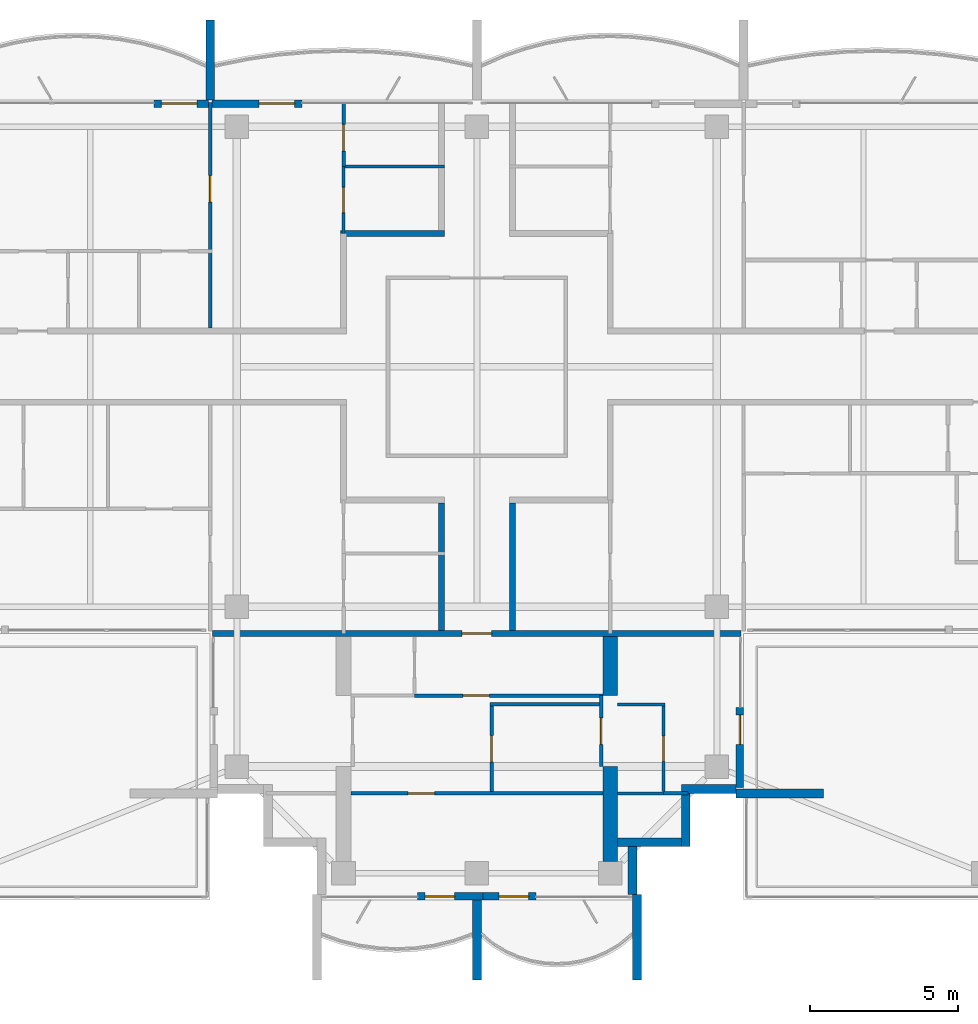
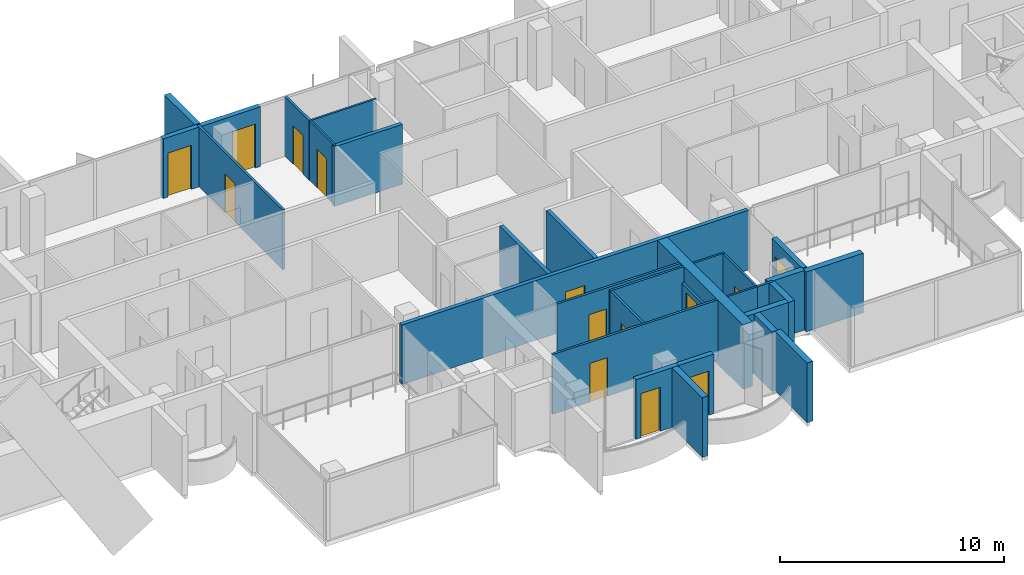
# One storey, part 9 of 16: 31 walls, 14 doors, 14 openings.
"""IFC4 building model written with IfcOpenShell, lengths in metres."""

import ifcopenshell
import ifcopenshell.guid

model = None  # the IFC model being written
_history = None  # IfcOwnerHistory: only IFC2X3 demands one
_inside = {}  # id of a spatial element -> (the spatial element, [elements in it])
_under = {}  # id of a project, library or spatial element -> (it, [spatial elements below it])
_declared = {}  # id of a project -> (the project, [libraries it declares])
_typed = {}  # id of a type object -> (the type object, [elements of that type])
_made_of = {}  # id of a material, layer set ... -> (it, [elements and type objects made of it])


def new_model(schema):
    """Start an empty IFC model of exactly this schema.

    Asked for "IFC4X3", IfcOpenShell would pick the latest addendum, in which some entities
    have other attributes; the version numbers below select the first issue.
    IFC2X3 requires an IfcOwnerHistory on every rooted entity: one is made here for all.
    """
    global model, _history
    if schema == "IFC4X3":
        model = ifcopenshell.file(schema_version=(4, 3, 0, 0))
    else:
        model = ifcopenshell.file(schema=schema)
    _inside.clear()
    _under.clear()
    _declared.clear()
    _typed.clear()
    _made_of.clear()
    _history = None
    if model.schema == "IFC2X3":
        org = make("IfcOrganization", Name="unknown")
        user = make(
            "IfcPersonAndOrganization",
            ThePerson=make("IfcPerson", FamilyName="unknown"),
            TheOrganization=org,
        )
        app = make(
            "IfcApplication",
            ApplicationDeveloper=org,
            Version="unknown",
            ApplicationFullName="unknown",
            ApplicationIdentifier="unknown",
        )
        _history = make(
            "IfcOwnerHistory",
            OwningUser=user,
            OwningApplication=app,
            ChangeAction="ADDED",
            CreationDate=0,
        )
    return model


def make(cls, **values):
    """One entity of the class cls with the attributes given. An attribute that is None is left unset."""
    return model.create_entity(
        cls, **{name: value for name, value in values.items() if value is not None}
    )


def rooted(cls, **values):
    """An entity with a GlobalId (a new one), such as an element, a storey or a relation."""
    return make(cls, GlobalId=ifcopenshell.guid.new(), OwnerHistory=_history, **values)


def si_unit(unit_type, name, prefix=None):
    """IfcSIUnit, for example si_unit("LENGTHUNIT", "METRE", prefix="MILLI")."""
    return make("IfcSIUnit", UnitType=unit_type, Prefix=prefix, Name=name)


def assignment(units):
    """IfcUnitAssignment: the units of a project."""
    return None if units is None else make("IfcUnitAssignment", Units=units)


def point(xyz):
    """IfcCartesianPoint."""
    return None if xyz is None else make("IfcCartesianPoint", Coordinates=xyz)


def direction(xyz):
    """IfcDirection."""
    return None if xyz is None else make("IfcDirection", DirectionRatios=xyz)


def frame(location, z_axis=None, x_axis=None):
    """IfcAxis2Placement3D, a coordinate frame: its origin and axes. An axis left out is left unset."""
    return make(
        "IfcAxis2Placement3D",
        Location=point(location),
        Axis=direction(z_axis),
        RefDirection=direction(x_axis),
    )


def frame_2d(location, x_axis=None):
    """IfcAxis2Placement2D, a coordinate frame in the plane: its origin and x axis."""
    return make(
        "IfcAxis2Placement2D", Location=point(location), RefDirection=direction(x_axis)
    )


def origin():
    """The frame at (0, 0, 0) with its axes left unset."""
    return frame((0.0, 0.0, 0.0))


def place(relative_to, where):
    """IfcLocalPlacement: puts the frame where relative to a parent placement (None: the world)."""
    return make(
        "IfcLocalPlacement", PlacementRelTo=relative_to, RelativePlacement=where
    )


def context(
    kind, dimensions, precision=None, world=None, true_north=None, identifier=None
):
    """IfcGeometricRepresentationContext, for example the 3D "Model" context."""
    return make(
        "IfcGeometricRepresentationContext",
        ContextIdentifier=identifier,
        ContextType=kind,
        CoordinateSpaceDimension=dimensions,
        Precision=precision,
        WorldCoordinateSystem=world,
        TrueNorth=true_north,
    )


def subcontext(parent, identifier, kind, view, scale=None):
    """IfcGeometricRepresentationSubContext, for example "Body" below "Model"."""
    return make(
        "IfcGeometricRepresentationSubContext",
        ContextIdentifier=identifier,
        ContextType=kind,
        ParentContext=parent,
        TargetScale=scale,
        TargetView=view,
    )


def project(units=None, contexts=None):
    """IfcProject with its units and contexts."""
    return rooted(
        "IfcProject",
        Name="project",
        RepresentationContexts=contexts,
        UnitsInContext=assignment(units),
    )


def spatial(cls, under=None, at=None, **own):
    """A site, building, storey or space (cls), placed at a placement, below another one or the project."""
    s = rooted(cls, ObjectPlacement=at, **own)
    if under is not None:
        _under.setdefault(under.id(), (under, []))[1].append(s)
    return s


def polyline(points):
    """IfcPolyline through the points."""
    return make("IfcPolyline", Points=[point(p) for p in points])


def profile(cls, at=None, kind="AREA", **sizes):
    """A parametric profile (cls). Its sizes go by their IFC names, for example OverallWidth=200.0."""
    return make(cls, ProfileType=kind, Position=at, **sizes)


def rectangle(**sizes):
    """IfcRectangleProfileDef."""
    return profile("IfcRectangleProfileDef", **sizes)


def outline(outer, holes=None, kind="AREA"):
    """IfcArbitraryClosedProfileDef: a profile drawn as a closed curve; with holes, ...WithVoids."""
    if holes is None:
        return make("IfcArbitraryClosedProfileDef", ProfileType=kind, OuterCurve=outer)
    return make(
        "IfcArbitraryProfileDefWithVoids",
        ProfileType=kind,
        OuterCurve=outer,
        InnerCurves=holes,
    )


def extrude(swept, where, along, depth):
    """IfcExtrudedAreaSolid: the profile swept, set in the frame where, extruded along a direction by depth."""
    return make(
        "IfcExtrudedAreaSolid",
        SweptArea=swept,
        Position=where,
        ExtrudedDirection=direction(along),
        Depth=depth,
    )


def shape(context_of_items, identifier, shape_type, items):
    """IfcShapeRepresentation: the items that make up one representation, for example the "Body"."""
    return make(
        "IfcShapeRepresentation",
        ContextOfItems=context_of_items,
        RepresentationIdentifier=identifier,
        RepresentationType=shape_type,
        Items=items,
    )


def material(Name=None, Category=None):
    """IfcMaterial."""
    return make("IfcMaterial", Name=Name, Category=Category)


def layer(
    of_material, thickness, ventilated=None, Name=None, Category=None, Priority=None
):
    """IfcMaterialLayer: one layer of a wall or slab, of a material (None: an air gap)."""
    return make(
        "IfcMaterialLayer",
        Material=of_material,
        LayerThickness=thickness,
        IsVentilated=ventilated,
        Name=Name,
        Category=Category,
        Priority=Priority,
    )


def layer_set(layers, Name=None):
    """IfcMaterialLayerSet."""
    return make("IfcMaterialLayerSet", MaterialLayers=layers, LayerSetName=Name)


def material_profile(
    of_material, cross_section, Name=None, Category=None, Priority=None
):
    """IfcMaterialProfile: a cross section and its material."""
    return make(
        "IfcMaterialProfile",
        Name=Name,
        Material=of_material,
        Profile=cross_section,
        Priority=Priority,
        Category=Category,
    )


def profile_set(profiles, Name=None, composite=None):
    """IfcMaterialProfileSet."""
    return make(
        "IfcMaterialProfileSet",
        Name=Name,
        MaterialProfiles=profiles,
        CompositeProfile=composite,
    )


def made_of(thing, what):
    """Note that an element or type object is made of a material, layer set ...; save() writes the relation."""
    if what is not None:
        _made_of.setdefault(what.id(), (what, []))[1].append(thing)
    return thing


def type_object(cls, material=None, **own):
    """A type object (cls), such as IfcWallType, which elements share."""
    return made_of(rooted(cls, **own), material)


def element(
    cls,
    number,
    at=None,
    inside=None,
    cuts=None,
    type_object=None,
    material=None,
    context=None,
    identifier="Body",
    shape_type=None,
    held_by="IfcProductDefinitionShape",
    body=None,
    shapes=None,
    **own,
):
    """One element of the class cls, such as IfcWall. Its Tag is "e" and its number.

    at: its placement. inside: the storey or other place that contains it. cuts: it is an
    opening in that element (IfcRelVoidsElement). A single representation is given by context,
    identifier, shape_type and body (its items); several are given by shapes. held_by: the class
    of the entity that holds the representations. save() writes the other relations.
    """
    e = rooted(cls, Tag="e%d" % number, ObjectPlacement=at, **own)
    if body is not None:
        shapes = [shape(context, identifier, shape_type, body)]
    if shapes is not None:
        e.Representation = make(held_by, Representations=shapes)
    if inside is not None:
        _inside.setdefault(inside.id(), (inside, []))[1].append(e)
    if cuts is not None:
        rooted(
            "IfcRelVoidsElement", RelatingBuildingElement=cuts, RelatedOpeningElement=e
        )
    if type_object is not None:
        _typed.setdefault(type_object.id(), (type_object, []))[1].append(e)
    return made_of(e, material)


def fill(opening, filler):
    """IfcRelFillsElement: the door or window that sits in an opening."""
    return rooted(
        "IfcRelFillsElement",
        RelatingOpeningElement=opening,
        RelatedBuildingElement=filler,
    )


def aggregate(whole, parts):
    """IfcRelAggregates: a whole, such as a stair, and the parts it consists of."""
    return rooted("IfcRelAggregates", RelatingObject=whole, RelatedObjects=parts)


def save(model, path):
    """Write the relations noted so far, then the file.

    IfcRelAggregates (storeys below a building ...), IfcRelContainedInSpatialStructure (elements
    in a storey), IfcRelDefinesByType, IfcRelAssociatesMaterial and IfcRelDeclares: one each for
    every whole, place, type object, material and project.
    """
    for whole, parts in _under.values():
        aggregate(whole, parts)
    for where, things in _inside.values():
        rooted(
            "IfcRelContainedInSpatialStructure",
            RelatedElements=things,
            RelatingStructure=where,
        )
    for kind, things in _typed.values():
        rooted("IfcRelDefinesByType", RelatedObjects=things, RelatingType=kind)
    for what, things in _made_of.values():
        rooted("IfcRelAssociatesMaterial", RelatedObjects=things, RelatingMaterial=what)
    for by, libraries in _declared.values():
        rooted("IfcRelDeclares", RelatingContext=by, RelatedDefinitions=libraries)
    model.write(path)


model = new_model("IFC4")

# Units and contexts
model_context = context("Model", 3, precision=1e-05, world=origin(), true_north=direction((0.0, 1.0)))
body_context = subcontext(model_context, "Body", "Model", "MODEL_VIEW")
ifc_project = project(units=[si_unit("LENGTHUNIT", "METRE"), si_unit("AREAUNIT", "SQUARE_METRE"), si_unit("VOLUMEUNIT", "CUBIC_METRE"), si_unit("PLANEANGLEUNIT", "RADIAN"), si_unit("MASSUNIT", "GRAM", prefix="KILO")], contexts=[model_context])

# Site, building, storey
site_placement = place(None, origin())
site = spatial("IfcSite", under=ifc_project, at=site_placement, CompositionType="ELEMENT")
building_placement = place(site_placement, origin())
building = spatial("IfcBuilding", under=site, at=building_placement, Name="Perihelion Cross Residences", CompositionType="ELEMENT")
storey_placement = place(building_placement, frame((0.0, 0.0, 260.5)))
storey = spatial("IfcBuildingStorey", under=building, at=storey_placement, Name="L66", CompositionType="ELEMENT", Elevation=260.5)

# Walls
ifc_material_1 = material(Name="Plasterboard partition")
ifc_layer_1 = layer(ifc_material_1, 0.199951171875)
ifc_layer_set_1 = layer_set([ifc_layer_1], Name="Apartment separation wall 200")
wall_type_1 = type_object("IfcWallType", Name="Apartment separation wall 200", PredefinedType="PARTITIONING", material=ifc_layer_set_1)
wall_1_placement = place(storey_placement, frame((1.199951171875, -4.60009765625, 0.0), z_axis=(0.0, 0.0, 1.0), x_axis=(0.0, -1.0, 0.0)))
element("IfcWall", 1, at=wall_1_placement, inside=storey, type_object=wall_type_1, Name="Partition L66 W012", PredefinedType="PARTITIONING", context=body_context, shape_type="SweptSolid", body=[
    extrude(rectangle(XDim=4.2998046875, YDim=0.199951171875, at=frame_2d((2.14990234375, 0.0))), origin(), (0.0, 0.0, 1.0), 3.25),
])
wall_2_placement = place(storey_placement, frame((-4.60009765625, 4.5, 0.0), z_axis=(0.0, 0.0, 1.0), x_axis=(1.0, 0.0, 0.0)))
element("IfcWall", 2, at=wall_2_placement, inside=storey, type_object=wall_type_1, Name="Partition L66 W015", PredefinedType="PARTITIONING", context=body_context, shape_type="SweptSolid", body=[
    extrude(rectangle(XDim=3.5, YDim=0.199951171875, at=frame_2d((1.75, 0.0))), origin(), (0.0, 0.0, 1.0), 3.25),
])
wall_3_placement = place(storey_placement, frame((-1.199951171875, -8.89990234375, 0.0), z_axis=(0.0, 0.0, 1.0), x_axis=(0.0, 1.0, 0.0)))
element("IfcWall", 3, at=wall_3_placement, inside=storey, type_object=wall_type_1, Name="Partition L66 W019", PredefinedType="PARTITIONING", context=body_context, shape_type="SweptSolid", body=[
    extrude(rectangle(XDim=4.2998046875, YDim=0.199951171875, at=frame_2d((2.14990234375, 0.0))), origin(), (0.0, 0.0, 1.0), 3.25),
])

# Wall, opening, door
wall_4_placement = place(storey_placement, frame((8.919921875, -9.0, 0.0), z_axis=(0.0, 0.0, 1.0), x_axis=(-1.0, 0.0, 0.0)))
wall_4 = element("IfcWall", 4, at=wall_4_placement, inside=storey, type_object=wall_type_1, Name="Partition L66 W021", PredefinedType="PARTITIONING", context=body_context, shape_type="SweptSolid", body=[
    extrude(rectangle(XDim=17.83984375, YDim=0.199951171875, at=frame_2d((8.919921875, 0.0))), origin(), (0.0, 0.0, 1.0), 3.25),
])
opening_1_placement = place(wall_4_placement, frame((8.419921875, 0.0, 0.0)))
opening_1 = element("IfcOpeningElement", 5, at=opening_1_placement, cuts=wall_4, Name="Opening L66.A34", PredefinedType="OPENING", context=body_context, shape_type="SweptSolid", body=[
    extrude(rectangle(XDim=1.0, YDim=2.10009765625, at=frame_2d((0.5, 1.050048828125))), frame((0.0, 0.10986328125, 0.0), z_axis=(0.0, -1.0, 0.0), x_axis=(1.0, 0.0, 0.0)), (0.0, 0.0, 1.0), 0.219970703125),
])
ifc_material_2 = material(Name="Timber door leaf", Category="wood")
door_type_1 = type_object("IfcDoorType", Name="Flat entrance door 1000 x 2100", OperationType="SINGLE_SWING_LEFT", PredefinedType="DOOR", material=ifc_material_2)
door_1_placement = place(opening_1_placement, origin())
door_1 = element("IfcDoor", 6, at=door_1_placement, inside=storey, type_object=door_type_1, Name="Door L66.A34", OperationType="SINGLE_SWING_RIGHT", OverallHeight=2.10009765625, OverallWidth=1.0, PredefinedType="DOOR", context=body_context, shape_type="SweptSolid", body=[
    extrude(rectangle(XDim=1.0, YDim=2.10009765625, at=frame_2d((0.5, 1.050048828125))), frame((0.0, 0.02490234375, 0.0), z_axis=(0.0, -1.0, 0.0), x_axis=(1.0, 0.0, 0.0)), (0.0, 0.0, 1.0), 0.050048828125),
])
fill(opening_1, door_1)

ifc_material_3 = material(Name="Concrete C30/37, bronze-clad", Category="concrete")
ifc_layer_2 = layer(ifc_material_3, 0.25)
ifc_layer_set_2 = layer_set([ifc_layer_2], Name="Bronze-clad pier wall 250")
wall_type_2 = type_object("IfcWallType", Name="Bronze-clad pier wall 250", PredefinedType="SOLIDWALL", material=ifc_layer_set_2)
wall_5_placement = place(storey_placement, frame((-5.89990234375, 8.875, 0.0), z_axis=(0.0, 0.0, 1.0), x_axis=(-1.0, 0.0, 0.0)))
wall_5 = element("IfcWall", 7, at=wall_5_placement, inside=storey, type_object=wall_type_2, Name="Wall FW1 L66 north side east bay 2 pier", PredefinedType="SOLIDWALL", context=body_context, shape_type="SweptSolid", body=[
    extrude(rectangle(XDim=3.0400390625, YDim=0.25, at=frame_2d((1.52001953125, 0.0))), origin(), (0.0, 0.0, 1.0), 3.25),
])
opening_2_placement = place(wall_5_placement, frame((0.25, 0.0, 0.0)))
opening_2 = element("IfcOpeningElement", 8, at=opening_2_placement, cuts=wall_5, Name="Opening L66.E04", PredefinedType="OPENING", context=body_context, shape_type="SweptSolid", body=[
    extrude(rectangle(XDim=1.199951171875, YDim=2.39990234375, at=frame_2d((0.60009765625, 1.199951171875))), frame((0.0, 0.135009765625, 0.0), z_axis=(0.0, -1.0, 0.0), x_axis=(1.0, 0.0, 0.0)), (0.0, 0.0, 1.0), 0.27001953125),
])
ifc_material_4 = material(Name="Bronze anodised aluminium, glazed", Category="aluminium")
door_type_2 = type_object("IfcDoorType", Name="Balcony door 1200 x 2400", OperationType="NOTDEFINED", PredefinedType="DOOR", material=ifc_material_4)
door_2_placement = place(opening_2_placement, origin())
door_2 = element("IfcDoor", 9, at=door_2_placement, inside=storey, type_object=door_type_2, Name="Door L66.E04 north side east bay 2", OperationType="SINGLE_SWING_RIGHT", OverallHeight=2.39990234375, OverallWidth=1.199951171875, PredefinedType="DOOR", context=body_context, shape_type="SweptSolid", body=[
    extrude(rectangle(XDim=1.199951171875, YDim=2.39990234375, at=frame_2d((0.60009765625, 1.199951171875))), frame((0.0, 0.02490234375, 0.0), z_axis=(0.0, -1.0, 0.0), x_axis=(1.0, 0.0, 0.0)), (0.0, 0.0, 1.0), 0.050048828125),
])
fill(opening_2, door_2)

wall_6_placement = place(storey_placement, frame((-9.06005859375, 8.875, 0.0), z_axis=(0.0, 0.0, 1.0), x_axis=(-1.0, 0.0, 0.0)))
wall_6 = element("IfcWall", 10, at=wall_6_placement, inside=storey, type_object=wall_type_2, Name="Wall FW1 L66 west side north bay 1 pier", PredefinedType="SOLIDWALL", context=body_context, shape_type="SweptSolid", body=[
    extrude(rectangle(XDim=1.83984375, YDim=0.25, at=frame_2d((0.919921875, 0.0))), origin(), (0.0, 0.0, 1.0), 3.25),
])
opening_3_placement = place(wall_6_placement, frame((0.389892578125, 0.0, 0.0)))
opening_3 = element("IfcOpeningElement", 11, at=opening_3_placement, cuts=wall_6, Name="Opening L66.E05", PredefinedType="OPENING", context=body_context, shape_type="SweptSolid", body=[
    extrude(rectangle(XDim=1.199951171875, YDim=2.39990234375, at=frame_2d((0.60009765625, 1.199951171875))), frame((0.0, 0.135009765625, 0.0), z_axis=(0.0, -1.0, 0.0), x_axis=(1.0, 0.0, 0.0)), (0.0, 0.0, 1.0), 0.27001953125),
])
door_3_placement = place(opening_3_placement, origin())
door_3 = element("IfcDoor", 12, at=door_3_placement, inside=storey, type_object=door_type_2, Name="Door L66.E05 west side north bay 1", OperationType="SINGLE_SWING_LEFT", OverallHeight=2.39990234375, OverallWidth=1.199951171875, PredefinedType="DOOR", context=body_context, shape_type="SweptSolid", body=[
    extrude(rectangle(XDim=1.199951171875, YDim=2.39990234375, at=frame_2d((0.60009765625, 1.199951171875))), frame((0.0, 0.02490234375, 0.0), z_axis=(0.0, -1.0, 0.0), x_axis=(1.0, 0.0, 0.0)), (0.0, 0.0, 1.0), 0.050048828125),
])
fill(opening_3, door_3)

wall_7_placement = place(storey_placement, frame((-2.0, -17.875, 0.0), z_axis=(0.0, 0.0, 1.0), x_axis=(1.0, 0.0, 0.0)))
wall_7 = element("IfcWall", 13, at=wall_7_placement, inside=storey, type_object=wall_type_2, Name="Wall FW1 L66 south tip south bay 1 pier", PredefinedType="SOLIDWALL", context=body_context, shape_type="SweptSolid", body=[
    extrude(rectangle(XDim=2.199951171875, YDim=0.25, at=frame_2d((1.10009765625, 0.0))), origin(), (0.0, 0.0, 1.0), 3.25),
])
opening_4_placement = place(wall_7_placement, frame((0.25, 0.0, 0.0)))
opening_4 = element("IfcOpeningElement", 14, at=opening_4_placement, cuts=wall_7, Name="Opening L66.E10", PredefinedType="OPENING", context=body_context, shape_type="SweptSolid", body=[
    extrude(rectangle(XDim=1.0, YDim=2.39990234375, at=frame_2d((0.5, 1.199951171875))), frame((0.0, 0.135009765625, 0.0), z_axis=(0.0, -1.0, 0.0), x_axis=(1.0, 0.0, 0.0)), (0.0, 0.0, 1.0), 0.27001953125),
])
ifc_material_5 = material(Name="Bronze anodised aluminium, glazed", Category="aluminium")
door_type_3 = type_object("IfcDoorType", Name="Balcony door 1000 x 2400", OperationType="NOTDEFINED", PredefinedType="DOOR", material=ifc_material_5)
door_4_placement = place(opening_4_placement, origin())
door_4 = element("IfcDoor", 15, at=door_4_placement, inside=storey, type_object=door_type_3, Name="Door L66.E10 south tip south bay 1", OperationType="SINGLE_SWING_RIGHT", OverallHeight=2.39990234375, OverallWidth=1.0, PredefinedType="DOOR", context=body_context, shape_type="SweptSolid", body=[
    extrude(rectangle(XDim=1.0, YDim=2.39990234375, at=frame_2d((0.5, 1.199951171875))), frame((0.0, 0.02490234375, 0.0), z_axis=(0.0, -1.0, 0.0), x_axis=(1.0, 0.0, 0.0)), (0.0, 0.0, 1.0), 0.050048828125),
])
fill(opening_4, door_4)

wall_8_placement = place(storey_placement, frame((0.199951171875, -17.875, 0.0), z_axis=(0.0, 0.0, 1.0), x_axis=(1.0, 0.0, 0.0)))
wall_8 = element("IfcWall", 16, at=wall_8_placement, inside=storey, type_object=wall_type_2, Name="Wall FW1 L66 south tip south bay 2 pier", PredefinedType="SOLIDWALL", context=body_context, shape_type="SweptSolid", body=[
    extrude(rectangle(XDim=1.800048828125, YDim=0.25, at=frame_2d((0.89990234375, 0.0))), origin(), (0.0, 0.0, 1.0), 3.25),
])
opening_5_placement = place(wall_8_placement, frame((0.550048828125, 0.0, 0.0)))
opening_5 = element("IfcOpeningElement", 17, at=opening_5_placement, cuts=wall_8, Name="Opening L66.E11", PredefinedType="OPENING", context=body_context, shape_type="SweptSolid", body=[
    extrude(rectangle(XDim=1.0, YDim=2.39990234375, at=frame_2d((0.5, 1.199951171875))), frame((0.0, 0.135009765625, 0.0), z_axis=(0.0, -1.0, 0.0), x_axis=(1.0, 0.0, 0.0)), (0.0, 0.0, 1.0), 0.27001953125),
])
door_5_placement = place(opening_5_placement, origin())
door_5 = element("IfcDoor", 18, at=door_5_placement, inside=storey, type_object=door_type_3, Name="Door L66.E11 south tip south bay 2", OperationType="SINGLE_SWING_LEFT", OverallHeight=2.39990234375, OverallWidth=1.0, PredefinedType="DOOR", context=body_context, shape_type="SweptSolid", body=[
    extrude(rectangle(XDim=1.0, YDim=2.39990234375, at=frame_2d((0.5, 1.199951171875))), frame((0.0, 0.02490234375, 0.0), z_axis=(0.0, -1.0, 0.0), x_axis=(1.0, 0.0, 0.0)), (0.0, 0.0, 1.0), 0.050048828125),
])
fill(opening_5, door_5)

wall_9_placement = place(storey_placement, frame((8.875, -14.199951171875, 0.0), z_axis=(0.0, 0.0, 1.0), x_axis=(0.0, 1.0, 0.0)))
wall_9 = element("IfcWall", 19, at=wall_9_placement, inside=storey, type_object=wall_type_2, Name="Wall FW1 L66 south side east bay 1 pier", PredefinedType="SOLIDWALL", context=body_context, shape_type="SweptSolid", body=[
    extrude(rectangle(XDim=2.699951171875, YDim=0.25, at=frame_2d((1.35009765625, 0.0))), origin(), (0.0, 0.0, 1.0), 3.25),
])
opening_6_placement = place(wall_9_placement, frame((1.449951171875, 0.0, 0.0)))
opening_6 = element("IfcOpeningElement", 20, at=opening_6_placement, cuts=wall_9, Name="Opening L66.E12", PredefinedType="OPENING", context=body_context, shape_type="SweptSolid", body=[
    extrude(rectangle(XDim=1.0, YDim=2.39990234375, at=frame_2d((0.5, 1.199951171875))), frame((0.0, 0.135009765625, 0.0), z_axis=(0.0, -1.0, 0.0), x_axis=(1.0, 0.0, 0.0)), (0.0, 0.0, 1.0), 0.27001953125),
])
door_6_placement = place(opening_6_placement, origin())
door_6 = element("IfcDoor", 21, at=door_6_placement, inside=storey, type_object=door_type_3, Name="Door L66.E12 south side east bay 1", OperationType="SINGLE_SWING_RIGHT", OverallHeight=2.39990234375, OverallWidth=1.0, PredefinedType="DOOR", context=body_context, shape_type="SweptSolid", body=[
    extrude(rectangle(XDim=1.0, YDim=2.39990234375, at=frame_2d((0.5, 1.199951171875))), frame((0.0, 0.02490234375, 0.0), z_axis=(0.0, -1.0, 0.0), x_axis=(1.0, 0.0, 0.0)), (0.0, 0.0, 1.0), 0.050048828125),
])
fill(opening_6, door_6)

# Walls
ifc_material_6 = material(Name="Concrete C30/37, bronze-clad", Category="concrete")
ifc_layer_3 = layer(ifc_material_6, 0.300048828125)
ifc_layer_set_3 = layer_set([ifc_layer_3], Name="Bronze-clad serration wall 300")
wall_type_3 = type_object("IfcWallType", Name="Bronze-clad serration wall 300", PredefinedType="SOLIDWALL", material=ifc_layer_set_3)
wall_10_placement = place(storey_placement, frame((5.25, -17.820068359375, 0.0), z_axis=(0.0, 0.0, 1.0), x_axis=(0.0, 1.0, 0.0)))
element("IfcWall", 22, at=wall_10_placement, inside=storey, type_object=wall_type_3, Name="Wall SR1 L66 south corner south-east 1", PredefinedType="SOLIDWALL", context=body_context, shape_type="SweptSolid", body=[
    extrude(rectangle(XDim=1.6201171875, YDim=0.300048828125, at=frame_2d((0.81005859375, 0.0))), origin(), (0.0, 0.0, 1.0), 3.25),
])
wall_11_placement = place(storey_placement, frame((4.75, -16.050048828125, 0.0), z_axis=(0.0, 0.0, 1.0), x_axis=(1.0, 0.0, 0.0)))
element("IfcWall", 23, at=wall_11_placement, inside=storey, type_object=wall_type_3, Name="Wall SR1 L66 south corner south-east 2", PredefinedType="SOLIDWALL", context=body_context, shape_type="SweptSolid", body=[
    extrude(rectangle(XDim=2.14990234375, YDim=0.300048828125, at=frame_2d((1.074951171875, 0.0))), origin(), (0.0, 0.0, 1.0), 3.25),
])
wall_12_placement = place(storey_placement, frame((7.050048828125, -16.199951171875, 0.0), z_axis=(0.0, 0.0, 1.0), x_axis=(0.0, 1.0, 0.0)))
element("IfcWall", 24, at=wall_12_placement, inside=storey, type_object=wall_type_3, Name="Wall SR1 L66 south corner south-east 3", PredefinedType="SOLIDWALL", context=body_context, shape_type="SweptSolid", body=[
    extrude(rectangle(XDim=1.800048828125, YDim=0.300048828125, at=frame_2d((0.89990234375, 0.0))), origin(), (0.0, 0.0, 1.0), 3.25),
])
wall_13_placement = place(storey_placement, frame((6.89990234375, -14.25, 0.0), z_axis=(0.0, 0.0, 1.0), x_axis=(1.0, 0.0, 0.0)))
element("IfcWall", 25, at=wall_13_placement, inside=storey, type_object=wall_type_3, Name="Wall SR1 L66 south corner south-east 4", PredefinedType="SOLIDWALL", context=body_context, shape_type="SweptSolid", body=[
    extrude(rectangle(XDim=1.85009765625, YDim=0.300048828125, at=frame_2d((0.925048828125, 0.0))), origin(), (0.0, 0.0, 1.0), 3.25),
])

# Wall, opening, door
ifc_material_7 = material(Name="Plasterboard partition")
ifc_layer_4 = layer(ifc_material_7, 0.1201171875)
ifc_layer_set_4 = layer_set([ifc_layer_4], Name="Infill panel 120")
wall_type_4 = type_object("IfcWallType", Name="Infill panel 120", PredefinedType="PARTITIONING", material=ifc_layer_set_4)
wall_14_placement = place(storey_placement, frame((4.18994140625, -11.10009765625, 0.0), z_axis=(0.0, 0.0, 1.0), x_axis=(0.0, -1.0, 0.0)))
wall_14 = element("IfcWall", 26, at=wall_14_placement, inside=storey, type_object=wall_type_4, Name="Partition L66 WI01", PredefinedType="PARTITIONING", context=body_context, shape_type="SweptSolid", body=[
    extrude(rectangle(XDim=2.39990234375, YDim=0.1201171875, at=frame_2d((1.199951171875, 0.0))), origin(), (0.0, 0.0, 1.0), 2.39990234375),
])
opening_7_placement = place(wall_14_placement, frame((0.75, 0.0, 0.0)))
opening_7 = element("IfcOpeningElement", 27, at=opening_7_placement, cuts=wall_14, Name="Opening L66.A44", PredefinedType="OPENING", context=body_context, shape_type="SweptSolid", body=[
    extrude(rectangle(XDim=0.89990234375, YDim=2.10009765625, at=frame_2d((0.449951171875, 1.050048828125))), frame((0.0, 0.070068359375, 0.0), z_axis=(0.0, -1.0, 0.0), x_axis=(1.0, 0.0, 0.0)), (0.0, 0.0, 1.0), 0.14013671875),
])
ifc_material_8 = material(Name="Timber door leaf", Category="wood")
door_type_4 = type_object("IfcDoorType", Name="Interior room door 900 x 2100", OperationType="SINGLE_SWING_LEFT", PredefinedType="DOOR", material=ifc_material_8)
door_7_placement = place(opening_7_placement, origin())
door_7 = element("IfcDoor", 28, at=door_7_placement, inside=storey, type_object=door_type_4, Name="Door L66.A44", OperationType="SINGLE_SWING_LEFT", OverallHeight=2.10009765625, OverallWidth=0.89990234375, PredefinedType="DOOR", context=body_context, shape_type="SweptSolid", body=[
    extrude(rectangle(XDim=0.89990234375, YDim=2.10009765625, at=frame_2d((0.449951171875, 1.050048828125))), frame((0.0, 0.02490234375, 0.0), z_axis=(0.0, -1.0, 0.0), x_axis=(1.0, 0.0, 0.0)), (0.0, 0.0, 1.0), 0.050048828125),
])
fill(opening_7, door_7)

ifc_material_9 = material(Name="Plasterboard partition")
ifc_layer_5 = layer(ifc_material_9, 0.1201171875)
ifc_layer_set_5 = layer_set([ifc_layer_5], Name="Partition wall 120")
wall_type_5 = type_object("IfcWallType", Name="Partition wall 120", PredefinedType="PARTITIONING", material=ifc_layer_set_5)
wall_15_placement = place(storey_placement, frame((-9.0, 8.919921875, 0.0), z_axis=(0.0, 0.0, 1.0), x_axis=(0.0, -1.0, 0.0)))
wall_15 = element("IfcWall", 29, at=wall_15_placement, inside=storey, type_object=wall_type_5, Name="Partition L66 W045", PredefinedType="PARTITIONING", context=body_context, shape_type="SweptSolid", body=[
    extrude(rectangle(XDim=7.619873046875, YDim=0.1201171875, at=frame_2d((3.81005859375, 0.0))), origin(), (0.0, 0.0, 1.0), 3.25),
])
opening_8_placement = place(wall_15_placement, frame((2.469970703125, 0.0, 0.0)))
opening_8 = element("IfcOpeningElement", 30, at=opening_8_placement, cuts=wall_15, Name="Opening L66.A20", PredefinedType="OPENING", context=body_context, shape_type="SweptSolid", body=[
    extrude(rectangle(XDim=0.89990234375, YDim=2.10009765625, at=frame_2d((0.449951171875, 1.050048828125))), frame((0.0, 0.070068359375, 0.0), z_axis=(0.0, -1.0, 0.0), x_axis=(1.0, 0.0, 0.0)), (0.0, 0.0, 1.0), 0.14013671875),
])
door_8_placement = place(opening_8_placement, origin())
door_8 = element("IfcDoor", 31, at=door_8_placement, inside=storey, type_object=door_type_4, Name="Door L66.A20", OperationType="SINGLE_SWING_RIGHT", OverallHeight=2.10009765625, OverallWidth=0.89990234375, PredefinedType="DOOR", context=body_context, shape_type="SweptSolid", body=[
    extrude(rectangle(XDim=0.89990234375, YDim=2.10009765625, at=frame_2d((0.449951171875, 1.050048828125))), frame((0.0, 0.02490234375, 0.0), z_axis=(0.0, -1.0, 0.0), x_axis=(1.0, 0.0, 0.0)), (0.0, 0.0, 1.0), 0.050048828125),
])
fill(opening_8, door_8)

wall_16_placement = place(storey_placement, frame((-4.5, 8.919921875, 0.0), z_axis=(0.0, 0.0, 1.0), x_axis=(0.0, -1.0, 0.0)))
wall_16 = element("IfcWall", 32, at=wall_16_placement, inside=storey, type_object=wall_type_5, Name="Partition L66 W052", PredefinedType="PARTITIONING", context=body_context, shape_type="SweptSolid", body=[
    extrude(rectangle(XDim=2.169921875, YDim=0.1201171875, at=frame_2d((1.0849609375, 0.0))), origin(), (0.0, 0.0, 1.0), 3.25),
])
opening_9_placement = place(wall_16_placement, frame((0.7451171875, 0.0, 0.0)))
opening_9 = element("IfcOpeningElement", 33, at=opening_9_placement, cuts=wall_16, Name="Opening L66.A23", PredefinedType="OPENING", context=body_context, shape_type="SweptSolid", body=[
    extrude(rectangle(XDim=0.89990234375, YDim=2.10009765625, at=frame_2d((0.449951171875, 1.050048828125))), frame((0.0, 0.070068359375, 0.0), z_axis=(0.0, -1.0, 0.0), x_axis=(1.0, 0.0, 0.0)), (0.0, 0.0, 1.0), 0.14013671875),
])
door_9_placement = place(opening_9_placement, origin())
door_9 = element("IfcDoor", 34, at=door_9_placement, inside=storey, type_object=door_type_4, Name="Door L66.A23", OperationType="SINGLE_SWING_LEFT", OverallHeight=2.10009765625, OverallWidth=0.89990234375, PredefinedType="DOOR", context=body_context, shape_type="SweptSolid", body=[
    extrude(rectangle(XDim=0.89990234375, YDim=2.10009765625, at=frame_2d((0.449951171875, 1.050048828125))), frame((0.0, 0.02490234375, 0.0), z_axis=(0.0, -1.0, 0.0), x_axis=(1.0, 0.0, 0.0)), (0.0, 0.0, 1.0), 0.050048828125),
])
fill(opening_9, door_9)

wall_17_placement = place(storey_placement, frame((4.25, -11.10009765625, 0.0), z_axis=(0.0, 0.0, 1.0), x_axis=(-1.0, 0.0, 0.0)))
wall_17 = element("IfcWall", 35, at=wall_17_placement, inside=storey, type_object=wall_type_5, Name="Partition L66 W066", PredefinedType="PARTITIONING", context=body_context, shape_type="SweptSolid", body=[
    extrude(rectangle(XDim=6.35009765625, YDim=0.1201171875, at=frame_2d((3.175048828125, 0.0))), origin(), (0.0, 0.0, 1.0), 3.25),
])
opening_10_placement = place(wall_17_placement, frame((3.824951171875, 0.0, 0.0)))
opening_10 = element("IfcOpeningElement", 36, at=opening_10_placement, cuts=wall_17, Name="Opening L66.A36", PredefinedType="OPENING", context=body_context, shape_type="SweptSolid", body=[
    extrude(rectangle(XDim=0.89990234375, YDim=2.10009765625, at=frame_2d((0.449951171875, 1.050048828125))), frame((0.0, 0.070068359375, 0.0), z_axis=(0.0, -1.0, 0.0), x_axis=(1.0, 0.0, 0.0)), (0.0, 0.0, 1.0), 0.14013671875),
])
door_10_placement = place(opening_10_placement, origin())
door_10 = element("IfcDoor", 37, at=door_10_placement, inside=storey, type_object=door_type_4, Name="Door L66.A36", OperationType="SINGLE_SWING_LEFT", OverallHeight=2.10009765625, OverallWidth=0.89990234375, PredefinedType="DOOR", context=body_context, shape_type="SweptSolid", body=[
    extrude(rectangle(XDim=0.89990234375, YDim=2.10009765625, at=frame_2d((0.449951171875, 1.050048828125))), frame((0.0, 0.02490234375, 0.0), z_axis=(0.0, -1.0, 0.0), x_axis=(1.0, 0.0, 0.0)), (0.0, 0.0, 1.0), 0.050048828125),
])
fill(opening_10, door_10)

# Wall
wall_18_placement = place(storey_placement, frame((4.25, -11.39990234375, 0.0), z_axis=(0.0, 0.0, 1.0), x_axis=(-1.0, 0.0, 0.0)))
element("IfcWall", 38, at=wall_18_placement, inside=storey, type_object=wall_type_5, Name="Partition L66 W068", PredefinedType="PARTITIONING", context=body_context, shape_type="SweptSolid", body=[
    extrude(rectangle(XDim=3.81005859375, YDim=0.1201171875, at=frame_2d((1.905029296875, 0.0))), origin(), (0.0, 0.0, 1.0), 3.25),
])

# Wall, opening, door
wall_19_placement = place(storey_placement, frame((0.5, -11.4599609375, 0.0), z_axis=(0.0, 0.0, 1.0), x_axis=(0.0, -1.0, 0.0)))
wall_19 = element("IfcWall", 39, at=wall_19_placement, inside=storey, type_object=wall_type_5, Name="Partition L66 W069", PredefinedType="PARTITIONING", context=body_context, shape_type="SweptSolid", body=[
    extrude(rectangle(XDim=2.880126953125, YDim=0.1201171875, at=frame_2d((1.43994140625, 0.0))), origin(), (0.0, 0.0, 1.0), 3.25),
])
opening_11_placement = place(wall_19_placement, frame((0.989990234375, 0.0, 0.0)))
opening_11 = element("IfcOpeningElement", 40, at=opening_11_placement, cuts=wall_19, Name="Opening L66.A37", PredefinedType="OPENING", context=body_context, shape_type="SweptSolid", body=[
    extrude(rectangle(XDim=0.89990234375, YDim=2.10009765625, at=frame_2d((0.449951171875, 1.050048828125))), frame((0.0, 0.070068359375, 0.0), z_axis=(0.0, -1.0, 0.0), x_axis=(1.0, 0.0, 0.0)), (0.0, 0.0, 1.0), 0.14013671875),
])
door_11_placement = place(opening_11_placement, origin())
door_11 = element("IfcDoor", 41, at=door_11_placement, inside=storey, type_object=door_type_4, Name="Door L66.A37", OperationType="SINGLE_SWING_RIGHT", OverallHeight=2.10009765625, OverallWidth=0.89990234375, PredefinedType="DOOR", context=body_context, shape_type="SweptSolid", body=[
    extrude(rectangle(XDim=0.89990234375, YDim=2.10009765625, at=frame_2d((0.449951171875, 1.050048828125))), frame((0.0, 0.02490234375, 0.0), z_axis=(0.0, -1.0, 0.0), x_axis=(1.0, 0.0, 0.0)), (0.0, 0.0, 1.0), 0.050048828125),
])
fill(opening_11, door_11)

wall_20_placement = place(storey_placement, frame((4.25, -14.39990234375, 0.0), z_axis=(0.0, 0.0, 1.0), x_axis=(-1.0, 0.0, 0.0)))
wall_20 = element("IfcWall", 42, at=wall_20_placement, inside=storey, type_object=wall_type_5, Name="Partition L66 W070", PredefinedType="PARTITIONING", context=body_context, shape_type="SweptSolid", body=[
    extrude(rectangle(XDim=8.5, YDim=0.1201171875, at=frame_2d((4.25, 0.0))), origin(), (0.0, 0.0, 1.0), 3.25),
])
opening_12_placement = place(wall_20_placement, frame((5.675048828125, 0.0, 0.0)))
opening_12 = element("IfcOpeningElement", 43, at=opening_12_placement, cuts=wall_20, Name="Opening L66.A38", PredefinedType="OPENING", context=body_context, shape_type="SweptSolid", body=[
    extrude(rectangle(XDim=0.89990234375, YDim=2.10009765625, at=frame_2d((0.449951171875, 1.050048828125))), frame((0.0, 0.070068359375, 0.0), z_axis=(0.0, -1.0, 0.0), x_axis=(1.0, 0.0, 0.0)), (0.0, 0.0, 1.0), 0.14013671875),
])
door_12_placement = place(opening_12_placement, origin())
door_12 = element("IfcDoor", 44, at=door_12_placement, inside=storey, type_object=door_type_4, Name="Door L66.A38", OperationType="SINGLE_SWING_RIGHT", OverallHeight=2.10009765625, OverallWidth=0.89990234375, PredefinedType="DOOR", context=body_context, shape_type="SweptSolid", body=[
    extrude(rectangle(XDim=0.89990234375, YDim=2.10009765625, at=frame_2d((0.449951171875, 1.050048828125))), frame((0.0, 0.02490234375, 0.0), z_axis=(0.0, -1.0, 0.0), x_axis=(1.0, 0.0, 0.0)), (0.0, 0.0, 1.0), 0.050048828125),
])
fill(opening_12, door_12)

# Walls
wall_21_placement = place(storey_placement, frame((7.1201171875, -14.39990234375, 0.0), z_axis=(0.0, 0.0, 1.0), x_axis=(-1.0, 0.0, 0.0)))
element("IfcWall", 45, at=wall_21_placement, inside=storey, type_object=wall_type_5, Name="Partition L66 W073", PredefinedType="PARTITIONING", context=body_context, shape_type="SweptSolid", body=[
    extrude(rectangle(XDim=0.820068359375, YDim=0.1201171875, at=frame_2d((0.41015625, 0.0))), origin(), (0.0, 0.0, 1.0), 3.25),
])
ifc_material_10 = material(Name="Precast concrete C50/60", Category="concrete")
ifc_layer_6 = layer(ifc_material_10, 0.300048828125)
ifc_layer_set_6 = layer_set([ifc_layer_6], Name="Precast concrete C50/60 blade wall 300")
wall_type_6 = type_object("IfcWallType", Name="Precast concrete C50/60 blade wall 300", PredefinedType="SOLIDWALL", material=ifc_layer_set_6)
for number, where, z_axis, x_axis, name in (
    (46, (-9.0, 9.0, 0.0), (0.0, 0.0, 1.0), (0.0, 1.0, 0.0), "Wall BL1 L66 no. 7"),
    (47, (0.0, -18.0, 0.0), (0.0, 0.0, 1.0), (0.0, -1.0, 0.0), "Wall BL1 L66 no. 8"),
):
    element("IfcWall", number, at=place(storey_placement, frame(where, z_axis=z_axis, x_axis=x_axis)), inside=storey, type_object=wall_type_6, Name=name, PredefinedType="SOLIDWALL", context=body_context, shape_type="SweptSolid", body=[
        extrude(rectangle(XDim=2.699951171875, YDim=0.300048828125, at=frame_2d((1.35009765625, 0.0))), origin(), (0.0, 0.0, 1.0), 3.25),
    ])
wall_22_placement = place(storey_placement, frame((5.39990234375, -17.820068359375, 0.0), z_axis=(0.0, 0.0, 1.0), x_axis=(0.0, -1.0, 0.0)))
element("IfcWall", 48, at=wall_22_placement, inside=storey, type_object=wall_type_6, Name="Wall BL1 L66 no. 14", PredefinedType="SOLIDWALL", context=body_context, shape_type="SweptSolid", body=[
    extrude(rectangle(XDim=2.8798828125, YDim=0.300048828125, at=frame_2d((1.43994140625, 0.0))), origin(), (0.0, 0.0, 1.0), 3.25),
])
wall_23_placement = place(storey_placement, frame((8.75, -14.39990234375, 0.0), z_axis=(0.0, 0.0, 1.0), x_axis=(1.0, 0.0, 0.0)))
element("IfcWall", 49, at=wall_23_placement, inside=storey, type_object=wall_type_6, Name="Wall BL1 L66 no. 15", PredefinedType="SOLIDWALL", context=body_context, shape_type="SweptSolid", body=[
    extrude(rectangle(XDim=2.949951171875, YDim=0.300048828125, at=frame_2d((1.47509765625, 0.0))), origin(), (0.0, 0.0, 1.0), 3.25),
])
ifc_material_11 = material(Name="Concrete C50/60", Category="concrete")
ifc_material_profile = material_profile(ifc_material_11, outline(polyline([(0.0, 0.0), (3.199951171875, 0.0), (3.199951171875, 2.64990234375), (5.60009765625, 2.64990234375), (5.60009765625, 0.0), (7.699951171875, 0.0), (7.699951171875, 3.5), (0.0, 3.5), (0.0, 0.0)])), Name="Tip spine wall")
ifc_profile_set = profile_set([ifc_material_profile], Name="Concrete C50/60")
wall_type_7 = type_object("IfcWallType", Name="Tip spine wall 500 with 1 door openings 7700 long 3500 high concrete C50/60", PredefinedType="SHEAR", material=ifc_profile_set)
wall_24_placement = place(storey_placement, frame((4.25, -16.699951171875, -0.25), z_axis=(1.0, 0.0, 0.0), x_axis=(0.0, 1.0, 0.0)))
element("IfcWall", 50, at=wall_24_placement, inside=storey, type_object=wall_type_7, Name="Shear wall SW45 L66 south east", PredefinedType="SHEAR", context=body_context, shape_type="SweptSolid", body=[
    extrude(outline(polyline([(0.0, 0.0), (3.199951171875, 0.0), (3.199951171875, 2.64990234375), (5.60009765625, 2.64990234375), (5.60009765625, 0.0), (7.699951171875, 0.0), (7.699951171875, 3.5), (0.0, 3.5), (0.0, 0.0)])), origin(), (0.0, 0.0, 1.0), 0.5),
])

# Wall, opening, door
ifc_material_12 = material(Name="Plasterboard partition")
ifc_layer_7 = layer(ifc_material_12, 0.10009765625)
ifc_layer_set_7 = layer_set([ifc_layer_7], Name="Wet room wall 100")
wall_type_8 = type_object("IfcWallType", Name="Wet room wall 100", PredefinedType="PARTITIONING", material=ifc_layer_set_7)
wall_25_placement = place(storey_placement, frame((-4.5, 6.75, 0.0), z_axis=(0.0, 0.0, 1.0), x_axis=(0.0, -1.0, 0.0)))
wall_25 = element("IfcWall", 51, at=wall_25_placement, inside=storey, type_object=wall_type_8, Name="Partition L66 W051", PredefinedType="PARTITIONING", context=body_context, shape_type="SweptSolid", body=[
    extrude(rectangle(XDim=2.25, YDim=0.10009765625, at=frame_2d((1.125, 0.0))), origin(), (0.0, 0.0, 1.0), 3.25),
])
opening_13_placement = place(wall_25_placement, frame((0.699951171875, 0.0, 0.0)))
opening_13 = element("IfcOpeningElement", 52, at=opening_13_placement, cuts=wall_25, Name="Opening L66.A19", PredefinedType="OPENING", context=body_context, shape_type="SweptSolid", body=[
    extrude(rectangle(XDim=0.85009765625, YDim=2.10009765625, at=frame_2d((0.425048828125, 1.050048828125))), frame((0.0, 0.06005859375, 0.0), z_axis=(0.0, -1.0, 0.0), x_axis=(1.0, 0.0, 0.0)), (0.0, 0.0, 1.0), 0.1201171875),
])
ifc_material_13 = material(Name="Timber door leaf", Category="wood")
door_type_5 = type_object("IfcDoorType", Name="Interior bathroom door 850 x 2100", OperationType="SINGLE_SWING_LEFT", PredefinedType="DOOR", material=ifc_material_13)
door_13_placement = place(opening_13_placement, origin())
door_13 = element("IfcDoor", 53, at=door_13_placement, inside=storey, type_object=door_type_5, Name="Door L66.A19", OperationType="SINGLE_SWING_LEFT", OverallHeight=2.10009765625, OverallWidth=0.85009765625, PredefinedType="DOOR", context=body_context, shape_type="SweptSolid", body=[
    extrude(rectangle(XDim=0.85009765625, YDim=2.10009765625, at=frame_2d((0.425048828125, 1.050048828125))), frame((0.0, 0.02490234375, 0.0), z_axis=(0.0, -1.0, 0.0), x_axis=(1.0, 0.0, 0.0)), (0.0, 0.0, 1.0), 0.050048828125),
])
fill(opening_13, door_13)

# Wall
wall_26_placement = place(storey_placement, frame((-4.56005859375, 6.75, 0.0), z_axis=(0.0, 0.0, 1.0), x_axis=(1.0, 0.0, 0.0)))
element("IfcWall", 54, at=wall_26_placement, inside=storey, type_object=wall_type_8, Name="Partition L66 W053", PredefinedType="PARTITIONING", context=body_context, shape_type="SweptSolid", body=[
    extrude(rectangle(XDim=3.4599609375, YDim=0.10009765625, at=frame_2d((1.72998046875, 0.0))), origin(), (0.0, 0.0, 1.0), 3.25),
])

# Wall, opening, door
wall_27_placement = place(storey_placement, frame((6.300048828125, -14.340087890625, 0.0), z_axis=(0.0, 0.0, 1.0), x_axis=(0.0, 1.0, 0.0)))
wall_27 = element("IfcWall", 55, at=wall_27_placement, inside=storey, type_object=wall_type_8, Name="Partition L66 W071", PredefinedType="PARTITIONING", context=body_context, shape_type="SweptSolid", body=[
    extrude(rectangle(XDim=2.89013671875, YDim=0.10009765625, at=frame_2d((1.445068359375, 0.0))), origin(), (0.0, 0.0, 1.0), 3.25),
])
opening_14_placement = place(wall_27_placement, frame((1.02001953125, 0.0, 0.0)))
opening_14 = element("IfcOpeningElement", 56, at=opening_14_placement, cuts=wall_27, Name="Opening L66.A39", PredefinedType="OPENING", context=body_context, shape_type="SweptSolid", body=[
    extrude(rectangle(XDim=0.85009765625, YDim=2.10009765625, at=frame_2d((0.425048828125, 1.050048828125))), frame((0.0, 0.06005859375, 0.0), z_axis=(0.0, -1.0, 0.0), x_axis=(1.0, 0.0, 0.0)), (0.0, 0.0, 1.0), 0.1201171875),
])
door_14_placement = place(opening_14_placement, origin())
door_14 = element("IfcDoor", 57, at=door_14_placement, inside=storey, type_object=door_type_5, Name="Door L66.A39", OperationType="SINGLE_SWING_LEFT", OverallHeight=2.10009765625, OverallWidth=0.85009765625, PredefinedType="DOOR", context=body_context, shape_type="SweptSolid", body=[
    extrude(rectangle(XDim=0.85009765625, YDim=2.10009765625, at=frame_2d((0.425048828125, 1.050048828125))), frame((0.0, 0.02490234375, 0.0), z_axis=(0.0, -1.0, 0.0), x_axis=(1.0, 0.0, 0.0)), (0.0, 0.0, 1.0), 0.050048828125),
])
fill(opening_14, door_14)

# Walls
wall_28_placement = place(storey_placement, frame((6.35009765625, -11.39990234375, 0.0), z_axis=(0.0, 0.0, 1.0), x_axis=(-1.0, 0.0, 0.0)))
element("IfcWall", 58, at=wall_28_placement, inside=storey, type_object=wall_type_8, Name="Partition L66 W072", PredefinedType="PARTITIONING", context=body_context, shape_type="SweptSolid", body=[
    extrude(rectangle(XDim=1.60009765625, YDim=0.10009765625, at=frame_2d((0.800048828125, 0.0))), origin(), (0.0, 0.0, 1.0), 3.25),
])
wall_29_placement = place(storey_placement, frame((6.300048828125, -14.39990234375, 0.0), z_axis=(0.0, 0.0, 1.0), x_axis=(-1.0, 0.0, 0.0)))
element("IfcWall", 59, at=wall_29_placement, inside=storey, type_object=wall_type_8, Name="Partition L66 W074", PredefinedType="PARTITIONING", context=body_context, shape_type="SweptSolid", body=[
    extrude(rectangle(XDim=1.550048828125, YDim=0.10009765625, at=frame_2d((0.77490234375, 0.0))), origin(), (0.0, 0.0, 1.0), 3.25),
])

save(model, "model.ifc")
